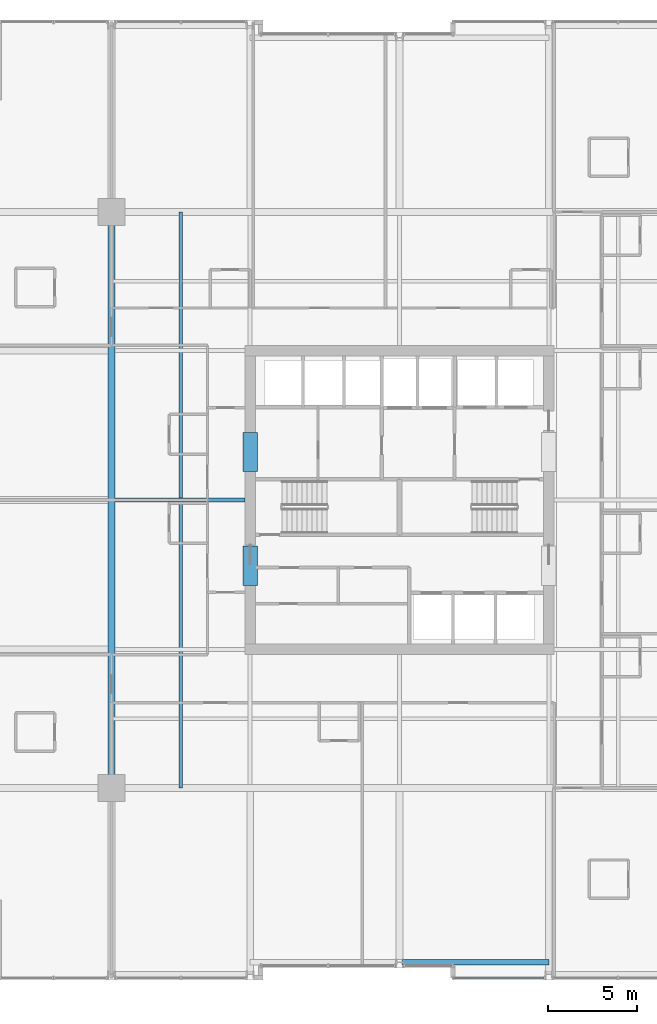
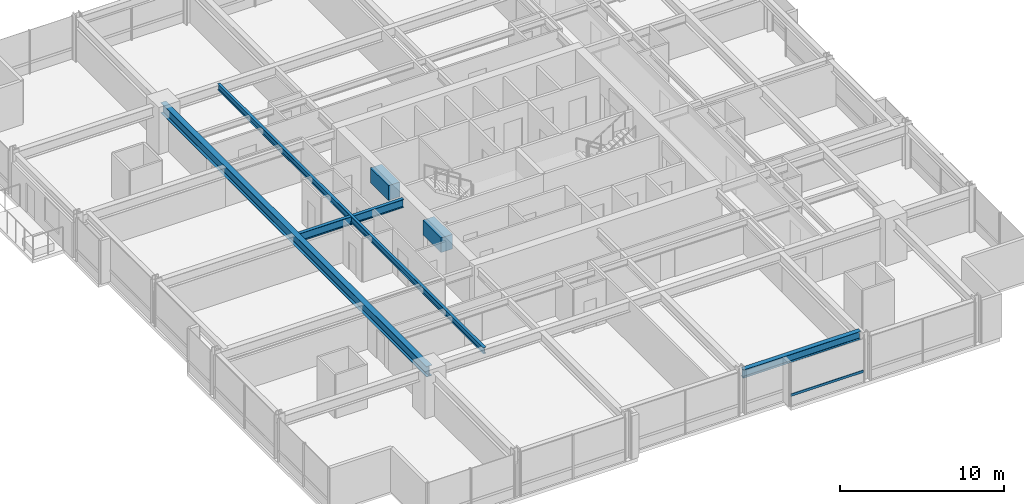
# One storey, part 10 of 33: 6 beams, 1 member, 1 element without a shape of its own.
"""IFC4 building model written with IfcOpenShell, lengths in metres."""

from ifc_helpers import new_model, si_unit, direction, frame, origin, origin_2d, place, context, subcontext, project, spatial, rectangle, hollow_rectangle, i_section, extrude, material, layer, layer_set, material_profile, profile_set, type_object, element, aggregate, save


model = new_model("IFC4")

# Units and contexts
model_context = context("Model", 3, precision=1e-05, world=origin(), true_north=direction((0.0, 1.0)))
body_context = subcontext(model_context, "Body", "Model", "MODEL_VIEW")
ifc_project = project(units=[si_unit("LENGTHUNIT", "METRE"), si_unit("AREAUNIT", "SQUARE_METRE"), si_unit("VOLUMEUNIT", "CUBIC_METRE"), si_unit("PLANEANGLEUNIT", "RADIAN"), si_unit("MASSUNIT", "GRAM", prefix="KILO")], contexts=[model_context])

# Site, building, storey
site_placement = place(None, origin())
site = spatial("IfcSite", under=ifc_project, at=site_placement, CompositionType="ELEMENT")
building_placement = place(site_placement, origin())
building = spatial("IfcBuilding", under=site, at=building_placement, Name="Drelvath Grand Hotel", CompositionType="ELEMENT")
storey_placement = place(building_placement, frame((0.0, 0.0, 105.800048828125)))
storey = spatial("IfcBuildingStorey", under=building, at=storey_placement, Name="L26", CompositionType="ELEMENT", Elevation=105.800048828125)

# Beams
ifc_material_1 = material(Name="Steel ASTM A992 Gr 50", Category="steel")
ifc_material_profile_1 = material_profile(ifc_material_1, i_section(OverallWidth=0.19140625, OverallDepth=0.4599609375, WebThickness=0.010009765625, FlangeThickness=0.01611328125, FilletRadius=0.01611328125, at=origin_2d()), Name="W18X55")
ifc_profile_set_1 = profile_set([ifc_material_profile_1], Name="Steel ASTM A992 Gr 50")
beam_type_1 = type_object("IfcBeamType", Name="Composite Floor Joist W18X55", PredefinedType="JOIST", material=ifc_profile_set_1)
beam_1_placement = place(storey_placement, frame((-12.300048828125, 10.800048828125, 3.010009765625), z_axis=(0.0, 1.0, 0.0), x_axis=(-1.0, 0.0, 0.0)))
element("IfcBeam", 1, at=beam_1_placement, inside=storey, type_object=beam_type_1, Name="L26 Wing Floor Joist J3", PredefinedType="JOIST", context=body_context, shape_type="SweptSolid", body=[
    extrude(i_section(OverallWidth=0.19140625, OverallDepth=0.4599609375, WebThickness=0.010009765625, FlangeThickness=0.01611328125, FilletRadius=0.01611328125, at=origin_2d()), origin(), (0.0, 0.0, 1.0), 32.39990234375),
])
ifc_material_2 = material(Name="Concrete f'c 70 MPa", Category="concrete")
ifc_material_profile_2 = material_profile(ifc_material_2, rectangle(XDim=0.800048828125, YDim=1.10009765625, at=origin_2d()), Name="CB800X1100")
ifc_profile_set_2 = profile_set([ifc_material_profile_2], Name="Concrete f'c 70 MPa")
beam_type_2 = type_object("IfcBeamType", Name="Core Coupling Lintel CB800X1100", PredefinedType="LINTEL", material=ifc_profile_set_2)
for number, where, z_axis, x_axis, name in (
    (2, (-8.39990234375, 22.199951171875, 2.68994140625), (0.0, 1.0, 0.0), (-1.0, 0.0, 0.0), "L26 Core Coupling Lintel WS"),
    (3, (-8.39990234375, 28.60009765625, 2.68994140625), (0.0, 1.0, 0.0), (-1.0, 0.0, 0.0), "L26 Core Coupling Lintel WN"),
):
    element("IfcBeam", number, at=place(storey_placement, frame(where, z_axis=z_axis, x_axis=x_axis)), inside=storey, type_object=beam_type_2, Name=name, PredefinedType="LINTEL", context=body_context, shape_type="SweptSolid", body=[
        extrude(rectangle(XDim=0.800048828125, YDim=1.10009765625, at=origin_2d()), origin(), (0.0, 0.0, 1.0), 2.199951171875),
    ])

# Curtain wall, member
ifc_material_3 = material(Name="Champagne Bronze Anodised Aluminium Frame", Category="aluminium")
ifc_layer = layer(ifc_material_3, 0.199951171875)
ifc_layer_set = layer_set([ifc_layer], Name="Champagne Bronze Anodised Aluminium Frame")
curtain_wall_type = type_object("IfcCurtainWallType", Name="Stick Curtain Wall CW-03 Champagne Bronze Mid-Rise", PredefinedType="NOTDEFINED", material=ifc_layer_set)
curtain_wall_placement = place(storey_placement, origin())
curtain_wall = element("IfcCurtainWall", 4, at=curtain_wall_placement, inside=storey, type_object=curtain_wall_type, Name="L26 CW-03 Curtain Wall CW03-L26-SE1", PredefinedType="NOTDEFINED")
ifc_material_profile_3 = material_profile(ifc_material_3, hollow_rectangle(XDim=0.074951171875, YDim=0.179931640625, WallThickness=0.0048828125, at=origin_2d()), Name="HSS180X75X5")
ifc_profile_set_3 = profile_set([ifc_material_profile_3], Name="Champagne Bronze Anodised Aluminium Frame")
member_type = type_object("IfcMemberType", Name="Curtain Wall Horizontal Transom CW-03 HSS180X75X5", PredefinedType="USERDEFINED", material=ifc_profile_set_3)
member_placement = place(storey_placement, frame((8.140380859375, 0.1201171875, 0.81005859375), z_axis=(-1.0, 0.0, 0.0), x_axis=(0.0, -1.0, 0.0)))
member = element("IfcMember", 5, at=member_placement, type_object=member_type, Name="CW03-L26-SE1 Sill Transom", ObjectType="TRANSOM", PredefinedType="USERDEFINED", context=body_context, shape_type="SweptSolid", body=[
    extrude(hollow_rectangle(XDim=0.074951171875, YDim=0.179931640625, WallThickness=0.0048828125, at=origin_2d()), origin(), (0.0, 0.0, 1.0), 5.100341796875),
])
aggregate(curtain_wall, [member])

# Beams
ifc_material_profile_4 = material_profile(ifc_material_1, i_section(OverallWidth=0.323974609375, OverallDepth=0.611083984375, WebThickness=0.0126953125, FlangeThickness=0.01904296875, FilletRadius=0.02197265625, at=origin_2d()), Name="W24X104")
ifc_profile_set_4 = profile_set([ifc_material_profile_4], Name="Steel ASTM A992 Gr 50")
beam_type_3 = type_object("IfcBeamType", Name="Perimeter Spandrel Beam W24X104", PredefinedType="SPANDREL", material=ifc_profile_set_4)
beam_2_placement = place(storey_placement, frame((0.139892578125, 1.0, 2.9345703125), z_axis=(1.0, 0.0, 0.0), x_axis=(0.0, 1.0, 0.0)))
element("IfcBeam", 6, at=beam_2_placement, inside=storey, type_object=beam_type_3, Name="L26 Spandrel South Mid E", PredefinedType="SPANDREL", context=body_context, shape_type="SweptSolid", body=[
    extrude(i_section(OverallWidth=0.323974609375, OverallDepth=0.611083984375, WebThickness=0.0126953125, FlangeThickness=0.01904296875, FilletRadius=0.02197265625, at=origin_2d()), origin(), (0.0, 0.0, 1.0), 8.260009765625),
])
ifc_material_profile_5 = material_profile(ifc_material_1, i_section(OverallWidth=0.228271484375, OverallDepth=0.607666015625, WebThickness=0.01123046875, FlangeThickness=0.017333984375, FilletRadius=0.02001953125, at=origin_2d()), Name="W24X76")
ifc_profile_set_5 = profile_set([ifc_material_profile_5], Name="Steel ASTM A992 Gr 50")
beam_type_4 = type_object("IfcBeamType", Name="Primary Floor Girder W24X76", PredefinedType="BEAM", material=ifc_profile_set_5)
beam_3_placement = place(storey_placement, frame((-16.009765625, 27.0, 2.93603515625), z_axis=(1.0, 0.0, 0.0), x_axis=(0.0, 1.0, 0.0)))
element("IfcBeam", 7, at=beam_3_placement, inside=storey, type_object=beam_type_4, Name="L26 West Core Tie E", PredefinedType="BEAM", context=body_context, shape_type="SweptSolid", body=[
    extrude(i_section(OverallWidth=0.228271484375, OverallDepth=0.607666015625, WebThickness=0.01123046875, FlangeThickness=0.017333984375, FilletRadius=0.02001953125, at=origin_2d()), origin(), (0.0, 0.0, 1.0), 7.309814453125),
])
ifc_material_profile_6 = material_profile(ifc_material_1, i_section(OverallWidth=0.380615234375, OverallDepth=0.773193359375, WebThickness=0.0166015625, FlangeThickness=0.027099609375, FilletRadius=0.02490234375, at=origin_2d()), Name="W30X173")
ifc_profile_set_6 = profile_set([ifc_material_profile_6], Name="Steel ASTM A992 Gr 50")
beam_type_5 = type_object("IfcBeamType", Name="Primary Floor Girder W30X173", PredefinedType="BEAM", material=ifc_profile_set_6)
beam_4_placement = place(storey_placement, frame((-16.199951171875, 10.800048828125, 2.853271484375), z_axis=(0.0, 1.0, 0.0), x_axis=(-1.0, 0.0, 0.0)))
element("IfcBeam", 8, at=beam_4_placement, inside=storey, type_object=beam_type_5, Name="L26 Mega Ring Girder West", PredefinedType="BEAM", context=body_context, shape_type="SweptSolid", body=[
    extrude(i_section(OverallWidth=0.380615234375, OverallDepth=0.773193359375, WebThickness=0.0166015625, FlangeThickness=0.027099609375, FilletRadius=0.02490234375, at=origin_2d()), origin(), (0.0, 0.0, 1.0), 32.39990234375),
])

save(model, "model.ifc")
